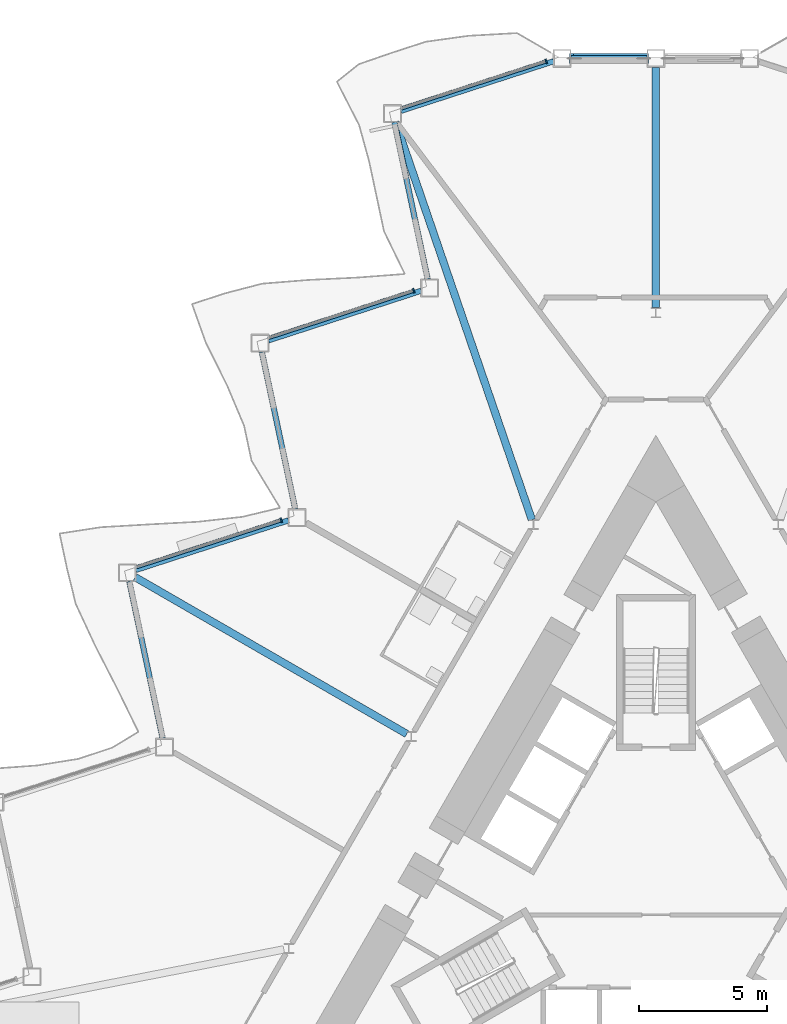
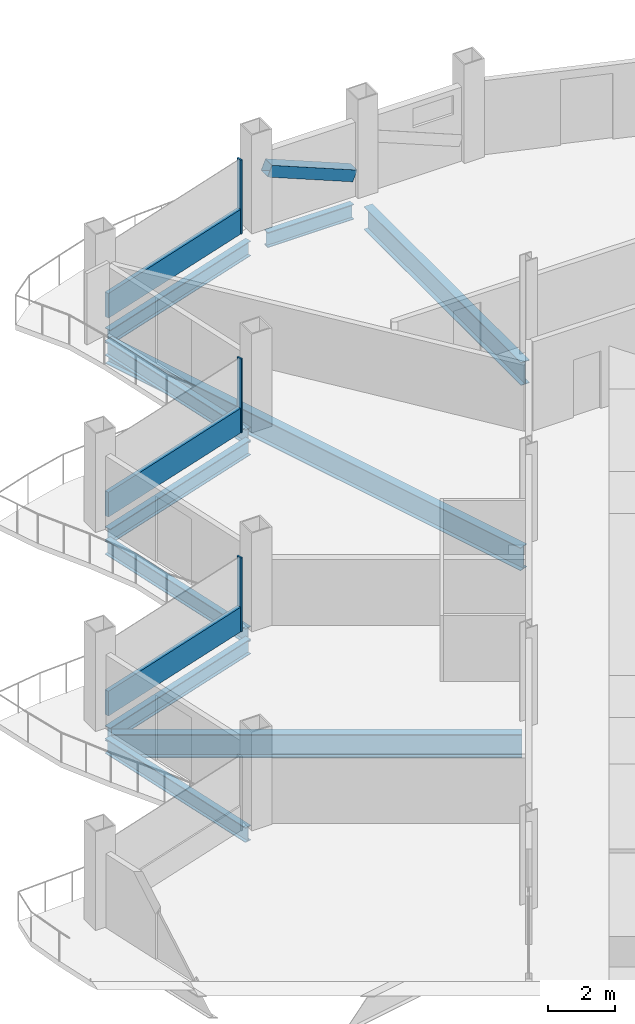
# One storey, part 8 of 24: 10 beams, 7 members, 3 elements without a shape of their own.
"""IFC4 building model written with IfcOpenShell, lengths in metres."""

import ifcopenshell
import ifcopenshell.guid

model = None  # the IFC model being written
_history = None  # IfcOwnerHistory: only IFC2X3 demands one
_inside = {}  # id of a spatial element -> (the spatial element, [elements in it])
_under = {}  # id of a project, library or spatial element -> (it, [spatial elements below it])
_declared = {}  # id of a project -> (the project, [libraries it declares])
_typed = {}  # id of a type object -> (the type object, [elements of that type])
_made_of = {}  # id of a material, layer set ... -> (it, [elements and type objects made of it])


def new_model(schema):
    """Start an empty IFC model of exactly this schema.

    Asked for "IFC4X3", IfcOpenShell would pick the latest addendum, in which some entities
    have other attributes; the version numbers below select the first issue.
    IFC2X3 requires an IfcOwnerHistory on every rooted entity: one is made here for all.
    """
    global model, _history
    if schema == "IFC4X3":
        model = ifcopenshell.file(schema_version=(4, 3, 0, 0))
    else:
        model = ifcopenshell.file(schema=schema)
    _inside.clear()
    _under.clear()
    _declared.clear()
    _typed.clear()
    _made_of.clear()
    _history = None
    if model.schema == "IFC2X3":
        org = make("IfcOrganization", Name="unknown")
        user = make(
            "IfcPersonAndOrganization",
            ThePerson=make("IfcPerson", FamilyName="unknown"),
            TheOrganization=org,
        )
        app = make(
            "IfcApplication",
            ApplicationDeveloper=org,
            Version="unknown",
            ApplicationFullName="unknown",
            ApplicationIdentifier="unknown",
        )
        _history = make(
            "IfcOwnerHistory",
            OwningUser=user,
            OwningApplication=app,
            ChangeAction="ADDED",
            CreationDate=0,
        )
    return model


def make(cls, **values):
    """One entity of the class cls with the attributes given. An attribute that is None is left unset."""
    return model.create_entity(
        cls, **{name: value for name, value in values.items() if value is not None}
    )


def rooted(cls, **values):
    """An entity with a GlobalId (a new one), such as an element, a storey or a relation."""
    return make(cls, GlobalId=ifcopenshell.guid.new(), OwnerHistory=_history, **values)


def si_unit(unit_type, name, prefix=None):
    """IfcSIUnit, for example si_unit("LENGTHUNIT", "METRE", prefix="MILLI")."""
    return make("IfcSIUnit", UnitType=unit_type, Prefix=prefix, Name=name)


def assignment(units):
    """IfcUnitAssignment: the units of a project."""
    return None if units is None else make("IfcUnitAssignment", Units=units)


def point(xyz):
    """IfcCartesianPoint."""
    return None if xyz is None else make("IfcCartesianPoint", Coordinates=xyz)


def direction(xyz):
    """IfcDirection."""
    return None if xyz is None else make("IfcDirection", DirectionRatios=xyz)


def frame(location, z_axis=None, x_axis=None):
    """IfcAxis2Placement3D, a coordinate frame: its origin and axes. An axis left out is left unset."""
    return make(
        "IfcAxis2Placement3D",
        Location=point(location),
        Axis=direction(z_axis),
        RefDirection=direction(x_axis),
    )


def frame_2d(location, x_axis=None):
    """IfcAxis2Placement2D, a coordinate frame in the plane: its origin and x axis."""
    return make(
        "IfcAxis2Placement2D", Location=point(location), RefDirection=direction(x_axis)
    )


def origin():
    """The frame at (0, 0, 0) with its axes left unset."""
    return frame((0.0, 0.0, 0.0))


def origin_2d():
    """The frame at (0, 0) in the plane with its x axis left unset."""
    return frame_2d((0.0, 0.0))


def place(relative_to, where):
    """IfcLocalPlacement: puts the frame where relative to a parent placement (None: the world)."""
    return make(
        "IfcLocalPlacement", PlacementRelTo=relative_to, RelativePlacement=where
    )


def context(
    kind, dimensions, precision=None, world=None, true_north=None, identifier=None
):
    """IfcGeometricRepresentationContext, for example the 3D "Model" context."""
    return make(
        "IfcGeometricRepresentationContext",
        ContextIdentifier=identifier,
        ContextType=kind,
        CoordinateSpaceDimension=dimensions,
        Precision=precision,
        WorldCoordinateSystem=world,
        TrueNorth=true_north,
    )


def subcontext(parent, identifier, kind, view, scale=None):
    """IfcGeometricRepresentationSubContext, for example "Body" below "Model"."""
    return make(
        "IfcGeometricRepresentationSubContext",
        ContextIdentifier=identifier,
        ContextType=kind,
        ParentContext=parent,
        TargetScale=scale,
        TargetView=view,
    )


def project(units=None, contexts=None):
    """IfcProject with its units and contexts."""
    return rooted(
        "IfcProject",
        Name="project",
        RepresentationContexts=contexts,
        UnitsInContext=assignment(units),
    )


def spatial(cls, under=None, at=None, **own):
    """A site, building, storey or space (cls), placed at a placement, below another one or the project."""
    s = rooted(cls, ObjectPlacement=at, **own)
    if under is not None:
        _under.setdefault(under.id(), (under, []))[1].append(s)
    return s


def profile(cls, at=None, kind="AREA", **sizes):
    """A parametric profile (cls). Its sizes go by their IFC names, for example OverallWidth=200.0."""
    return make(cls, ProfileType=kind, Position=at, **sizes)


def rectangle(**sizes):
    """IfcRectangleProfileDef."""
    return profile("IfcRectangleProfileDef", **sizes)


def hollow_rectangle(**sizes):
    """IfcRectangleHollowProfileDef."""
    return profile("IfcRectangleHollowProfileDef", **sizes)


def i_section(**sizes):
    """IfcIShapeProfileDef."""
    return profile("IfcIShapeProfileDef", **sizes)


def extrude(swept, where, along, depth):
    """IfcExtrudedAreaSolid: the profile swept, set in the frame where, extruded along a direction by depth."""
    return make(
        "IfcExtrudedAreaSolid",
        SweptArea=swept,
        Position=where,
        ExtrudedDirection=direction(along),
        Depth=depth,
    )


def shape(context_of_items, identifier, shape_type, items):
    """IfcShapeRepresentation: the items that make up one representation, for example the "Body"."""
    return make(
        "IfcShapeRepresentation",
        ContextOfItems=context_of_items,
        RepresentationIdentifier=identifier,
        RepresentationType=shape_type,
        Items=items,
    )


def material(Name=None, Category=None):
    """IfcMaterial."""
    return make("IfcMaterial", Name=Name, Category=Category)


def layer(
    of_material, thickness, ventilated=None, Name=None, Category=None, Priority=None
):
    """IfcMaterialLayer: one layer of a wall or slab, of a material (None: an air gap)."""
    return make(
        "IfcMaterialLayer",
        Material=of_material,
        LayerThickness=thickness,
        IsVentilated=ventilated,
        Name=Name,
        Category=Category,
        Priority=Priority,
    )


def layer_set(layers, Name=None):
    """IfcMaterialLayerSet."""
    return make("IfcMaterialLayerSet", MaterialLayers=layers, LayerSetName=Name)


def material_profile(
    of_material, cross_section, Name=None, Category=None, Priority=None
):
    """IfcMaterialProfile: a cross section and its material."""
    return make(
        "IfcMaterialProfile",
        Name=Name,
        Material=of_material,
        Profile=cross_section,
        Priority=Priority,
        Category=Category,
    )


def profile_set(profiles, Name=None, composite=None):
    """IfcMaterialProfileSet."""
    return make(
        "IfcMaterialProfileSet",
        Name=Name,
        MaterialProfiles=profiles,
        CompositeProfile=composite,
    )


def made_of(thing, what):
    """Note that an element or type object is made of a material, layer set ...; save() writes the relation."""
    if what is not None:
        _made_of.setdefault(what.id(), (what, []))[1].append(thing)
    return thing


def type_object(cls, material=None, **own):
    """A type object (cls), such as IfcWallType, which elements share."""
    return made_of(rooted(cls, **own), material)


def element(
    cls,
    number,
    at=None,
    inside=None,
    cuts=None,
    type_object=None,
    material=None,
    context=None,
    identifier="Body",
    shape_type=None,
    held_by="IfcProductDefinitionShape",
    body=None,
    shapes=None,
    **own,
):
    """One element of the class cls, such as IfcWall. Its Tag is "e" and its number.

    at: its placement. inside: the storey or other place that contains it. cuts: it is an
    opening in that element (IfcRelVoidsElement). A single representation is given by context,
    identifier, shape_type and body (its items); several are given by shapes. held_by: the class
    of the entity that holds the representations. save() writes the other relations.
    """
    e = rooted(cls, Tag="e%d" % number, ObjectPlacement=at, **own)
    if body is not None:
        shapes = [shape(context, identifier, shape_type, body)]
    if shapes is not None:
        e.Representation = make(held_by, Representations=shapes)
    if inside is not None:
        _inside.setdefault(inside.id(), (inside, []))[1].append(e)
    if cuts is not None:
        rooted(
            "IfcRelVoidsElement", RelatingBuildingElement=cuts, RelatedOpeningElement=e
        )
    if type_object is not None:
        _typed.setdefault(type_object.id(), (type_object, []))[1].append(e)
    return made_of(e, material)


def aggregate(whole, parts):
    """IfcRelAggregates: a whole, such as a stair, and the parts it consists of."""
    return rooted("IfcRelAggregates", RelatingObject=whole, RelatedObjects=parts)


def save(model, path):
    """Write the relations noted so far, then the file.

    IfcRelAggregates (storeys below a building ...), IfcRelContainedInSpatialStructure (elements
    in a storey), IfcRelDefinesByType, IfcRelAssociatesMaterial and IfcRelDeclares: one each for
    every whole, place, type object, material and project.
    """
    for whole, parts in _under.values():
        aggregate(whole, parts)
    for where, things in _inside.values():
        rooted(
            "IfcRelContainedInSpatialStructure",
            RelatedElements=things,
            RelatingStructure=where,
        )
    for kind, things in _typed.values():
        rooted("IfcRelDefinesByType", RelatedObjects=things, RelatingType=kind)
    for what, things in _made_of.values():
        rooted("IfcRelAssociatesMaterial", RelatedObjects=things, RelatingMaterial=what)
    for by, libraries in _declared.values():
        rooted("IfcRelDeclares", RelatingContext=by, RelatedDefinitions=libraries)
    model.write(path)


model = new_model("IFC4")

# Units and contexts
model_context = context("Model", 3, precision=1e-05, world=origin(), true_north=direction((0.0, 1.0)))
body_context = subcontext(model_context, "Body", "Model", "MODEL_VIEW")
ifc_project = project(units=[si_unit("LENGTHUNIT", "METRE"), si_unit("AREAUNIT", "SQUARE_METRE"), si_unit("VOLUMEUNIT", "CUBIC_METRE"), si_unit("PLANEANGLEUNIT", "RADIAN"), si_unit("MASSUNIT", "GRAM", prefix="KILO")], contexts=[model_context])

# Site, building, storey
site_placement = place(None, origin())
site = spatial("IfcSite", under=ifc_project, at=site_placement, CompositionType="ELEMENT")
building_placement = place(site_placement, origin())
building = spatial("IfcBuilding", under=site, at=building_placement, Name="Cormorant Prow Tower", CompositionType="ELEMENT")
storey_placement = place(building_placement, frame((0.0, 0.0, 274.199951171875)))
storey = spatial("IfcBuildingStorey", under=building, at=storey_placement, Name="L62", CompositionType="ELEMENT", Elevation=274.199951171875)

# Member
ifc_material_1 = material(Name="Structural steel ASTM A500 Gr C", Category="steel")
ifc_material_profile_1 = material_profile(ifc_material_1, hollow_rectangle(XDim=0.406494140625, YDim=0.406494140625, WallThickness=0.01171875, at=origin_2d()), Name="HSS16x16x1/2")
ifc_profile_set_1 = profile_set([ifc_material_profile_1], Name="Structural steel ASTM A500 Gr C")
member_type_1 = type_object("IfcMemberType", Name="Chamfer brace HSS16x16x1/2", PredefinedType="BRACE", material=ifc_profile_set_1)
member_1_placement = place(storey_placement, frame((-0.36572265625, 32.073486328125, 0.74951171875), z_axis=(-0.925591042089, 0.0, 0.37852506232), x_axis=(0.0, -1.0, 0.0)))
element("IfcMember", 1, at=member_1_placement, inside=storey, type_object=member_type_1, Name="Chamfer brace BR2 at N01 L62", PredefinedType="BRACE", context=body_context, shape_type="SweptSolid", body=[
    extrude(hollow_rectangle(XDim=0.406494140625, YDim=0.406494140625, WallThickness=0.01171875, at=origin_2d()), origin(), (0.0, 0.0, 1.0), 3.17529296875),
])

# Curtain wall, member
ifc_material_2 = material(Name="Aluminium 6063-T6", Category="aluminium")
ifc_layer = layer(ifc_material_2, 0.179931640625)
ifc_layer_set = layer_set([ifc_layer], Name="Aluminium 6063-T6")
curtain_wall_type = type_object("IfcCurtainWallType", Name="Hotel unitised curtain wall 180", PredefinedType="NOTDEFINED", material=ifc_layer_set)
curtain_wall_1_placement = place(storey_placement, origin())
curtain_wall_1 = element("IfcCurtainWall", 2, at=curtain_wall_1_placement, inside=storey, type_object=curtain_wall_type, Name="Hotel curtain wall WNW00", PredefinedType="NOTDEFINED")
ifc_material_3 = material(Name="Aluminium 6063-T6", Category="aluminium")
ifc_material_profile_2 = material_profile(ifc_material_3, rectangle(XDim=0.179931640625, YDim=0.06005859375, at=origin_2d()), Name="Hotel mullion 60x180")
ifc_profile_set_2 = profile_set([ifc_material_profile_2], Name="Aluminium 6063-T6")
member_type_2 = type_object("IfcMemberType", Name="Hotel mullion 60x180", PredefinedType="MULLION", material=ifc_profile_set_2)
member_2_placement = place(storey_placement, frame((-4.296630859375, 31.9619140625, 0.0), z_axis=(0.0, 0.0, 1.0), x_axis=(0.309016992698, -0.95105651684, 0.0)))
member_2 = element("IfcMember", 3, at=member_2_placement, type_object=member_type_2, Name="Hotel mullion WNW00", PredefinedType="MULLION", context=body_context, shape_type="SweptSolid", body=[
    extrude(rectangle(XDim=0.179931640625, YDim=0.06005859375, at=origin_2d()), origin(), (0.0, 0.0, 1.0), 2.700927734375),
])

curtain_wall_2_placement = place(storey_placement, origin())
curtain_wall_2 = element("IfcCurtainWall", 4, at=curtain_wall_2_placement, inside=storey, type_object=curtain_wall_type, Name="Hotel curtain wall WNW02", PredefinedType="NOTDEFINED")
member_3_placement = place(storey_placement, frame((-9.481689453125, 22.980712890625, 0.0), z_axis=(0.0, 0.0, 1.0), x_axis=(0.309016992698, -0.95105651684, 0.0)))
member_3 = element("IfcMember", 5, at=member_3_placement, type_object=member_type_2, Name="Hotel mullion WNW02", PredefinedType="MULLION", context=body_context, shape_type="SweptSolid", body=[
    extrude(rectangle(XDim=0.179931640625, YDim=0.06005859375, at=origin_2d()), origin(), (0.0, 0.0, 1.0), 2.700927734375),
])

curtain_wall_3_placement = place(storey_placement, origin())
curtain_wall_3 = element("IfcCurtainWall", 6, at=curtain_wall_3_placement, inside=storey, type_object=curtain_wall_type, Name="Hotel curtain wall WNW04", PredefinedType="NOTDEFINED")
member_4_placement = place(storey_placement, frame((-14.6669921875, 13.999755859375, 0.0), z_axis=(0.0, 0.0, 1.0), x_axis=(0.309016992698, -0.95105651684, 0.0)))
member_4 = element("IfcMember", 7, at=member_4_placement, type_object=member_type_2, Name="Hotel mullion WNW04", PredefinedType="MULLION", context=body_context, shape_type="SweptSolid", body=[
    extrude(rectangle(XDim=0.179931640625, YDim=0.06005859375, at=origin_2d()), origin(), (0.0, 0.0, 1.0), 2.700927734375),
])

# Member
ifc_material_4 = material(Name="Terracotta", Category="masonry")
ifc_material_profile_3 = material_profile(ifc_material_4, rectangle(XDim=0.139892578125, YDim=0.89990234375, at=origin_2d()), Name="Hotel terracotta spandrel rail 140x900")
ifc_profile_set_3 = profile_set([ifc_material_profile_3], Name="Terracotta")
member_type_3 = type_object("IfcMemberType", Name="Hotel terracotta spandrel rail 140x900", PredefinedType="USERDEFINED", material=ifc_profile_set_3)
member_5_placement = place(storey_placement, frame((-4.3251953125, 31.95263671875, 0.449951171875), z_axis=(-0.951045896886, -0.309049675645, 0.0), x_axis=(0.309049675645, -0.951045896886, 0.0)))
member_5 = element("IfcMember", 8, at=member_5_placement, type_object=member_type_3, Name="Hotel spandrel rail WNW00", ObjectType="TRANSOM", PredefinedType="USERDEFINED", context=body_context, shape_type="SweptSolid", body=[
    extrude(rectangle(XDim=0.139892578125, YDim=0.89990234375, at=origin_2d()), origin(), (0.0, 0.0, 1.0), 5.915283203125),
])

aggregate(curtain_wall_1, [member_2, member_5])

member_6_placement = place(storey_placement, frame((-9.51025390625, 22.971435546875, 0.449951171875), z_axis=(-0.951061968074, -0.309000215022, 0.0), x_axis=(0.309000215022, -0.951061968074, 0.0)))
member_6 = element("IfcMember", 9, at=member_6_placement, type_object=member_type_3, Name="Hotel spandrel rail WNW02", ObjectType="TRANSOM", PredefinedType="USERDEFINED", context=body_context, shape_type="SweptSolid", body=[
    extrude(rectangle(XDim=0.139892578125, YDim=0.89990234375, at=origin_2d()), origin(), (0.0, 0.0, 1.0), 5.91552734375),
])

aggregate(curtain_wall_2, [member_3, member_6])

member_7_placement = place(storey_placement, frame((-14.695556640625, 13.990478515625, 0.449951171875), z_axis=(-0.951045896886, -0.309049675645, 0.0), x_axis=(0.309049675645, -0.951045896886, 0.0)))
member_7 = element("IfcMember", 10, at=member_7_placement, type_object=member_type_3, Name="Hotel spandrel rail WNW04", ObjectType="TRANSOM", PredefinedType="USERDEFINED", context=body_context, shape_type="SweptSolid", body=[
    extrude(rectangle(XDim=0.139892578125, YDim=0.89990234375, at=origin_2d()), origin(), (0.0, 0.0, 1.0), 5.915283203125),
])

aggregate(curtain_wall_3, [member_4, member_7])

# Beams
ifc_material_5 = material(Name="Structural steel ASTM A992 Gr 50", Category="steel")
ifc_material_profile_4 = material_profile(ifc_material_5, i_section(OverallWidth=0.29296875, OverallDepth=0.845703125, WebThickness=0.015380859375, FlangeThickness=0.0244140625, at=origin_2d()), Name="W33x141")
ifc_profile_set_4 = profile_set([ifc_material_profile_4], Name="Structural steel ASTM A992 Gr 50")
beam_type_1 = type_object("IfcBeamType", Name="Radial floor beam W33x141", PredefinedType="BEAM", material=ifc_profile_set_4)
beam_1_placement = place(storey_placement, frame((0.0, 22.320068359375, -0.77294921875), z_axis=(0.0, 1.0, 0.0), x_axis=(-1.0, 0.0, 0.0)))
element("IfcBeam", 11, at=beam_1_placement, inside=storey, type_object=beam_type_1, Name="Radial floor beam FB2 1 L62", PredefinedType="BEAM", context=body_context, shape_type="SweptSolid", body=[
    extrude(i_section(OverallWidth=0.29296875, OverallDepth=0.845703125, WebThickness=0.015380859375, FlangeThickness=0.0244140625, at=origin_2d()), origin(), (0.0, 0.0, 1.0), 9.4033203125),
])
beam_2_placement = place(storey_placement, frame((-4.85400390625, 14.013916015625, -0.77294921875), z_axis=(-0.324535507117, 0.945873514071, 0.0), x_axis=(-0.945873514071, -0.324535507117, 0.0)))
element("IfcBeam", 12, at=beam_2_placement, inside=storey, type_object=beam_type_1, Name="Radial floor beam FB2 2 L62", PredefinedType="BEAM", context=body_context, shape_type="SweptSolid", body=[
    extrude(i_section(OverallWidth=0.29296875, OverallDepth=0.845703125, WebThickness=0.015380859375, FlangeThickness=0.0244140625, at=origin_2d()), origin(), (0.0, 0.0, 1.0), 16.462158203125),
])
beam_3_placement = place(storey_placement, frame((-9.751220703125, 5.6298828125, -0.77294921875), z_axis=(-0.866021995826, 0.500005902711, 0.0), x_axis=(-0.500005902711, -0.866021995826, 0.0)))
element("IfcBeam", 13, at=beam_3_placement, inside=storey, type_object=beam_type_1, Name="Radial floor beam FB2 3 L62", PredefinedType="BEAM", context=body_context, shape_type="SweptSolid", body=[
    extrude(i_section(OverallWidth=0.29296875, OverallDepth=0.845703125, WebThickness=0.015380859375, FlangeThickness=0.0244140625, at=origin_2d()), origin(), (0.0, 0.0, 1.0), 12.277099609375),
])
ifc_material_6 = material(Name="Structural steel ASTM A992 Gr 50", Category="steel")
ifc_material_profile_5 = material_profile(ifc_material_6, i_section(OverallWidth=0.2138671875, OverallDepth=0.549072265625, WebThickness=0.0146484375, FlangeThickness=0.023681640625, at=origin_2d()), Name="W21x93")
ifc_profile_set_5 = profile_set([ifc_material_profile_5], Name="Structural steel ASTM A992 Gr 50")
beam_type_2 = type_object("IfcBeamType", Name="Spandrel beam W21x93", PredefinedType="SPANDREL", material=ifc_profile_set_5)
beam_4_placement = place(storey_placement, frame((-0.35009765625, 32.073486328125, -0.62451171875), z_axis=(-1.0, 0.0, 0.0), x_axis=(0.0, -1.0, 0.0)))
element("IfcBeam", 14, at=beam_4_placement, inside=storey, type_object=beam_type_2, Name="Spandrel beam SB2 N01-WNW00 L62", PredefinedType="SPANDREL", context=body_context, shape_type="SweptSolid", body=[
    extrude(i_section(OverallWidth=0.2138671875, OverallDepth=0.549072265625, WebThickness=0.0146484375, FlangeThickness=0.023681640625, at=origin_2d()), origin(), (0.0, 0.0, 1.0), 2.97021484375),
])
for number, where, z_axis, x_axis, name in (
    (15, (-4.003173828125, 31.96533203125, -0.62451171875), (-0.951054060056, -0.309024553801, 0.0), (0.309024553801, -0.951054060056, 0.0), "Spandrel beam SB2 WNW00-WNW01 L62"),
    (16, (-10.2373046875, 29.57373046875, -0.62451171875), (0.207896407679, -0.97815084914, 0.0), (0.97815084914, 0.207896407679, 0.0), "Spandrel beam SB2 WNW01-WNW02 L62"),
):
    element("IfcBeam", number, at=place(storey_placement, frame(where, z_axis=z_axis, x_axis=x_axis)), inside=storey, type_object=beam_type_2, Name=name, PredefinedType="SPANDREL", context=body_context, shape_type="SweptSolid", body=[
        extrude(i_section(OverallWidth=0.2138671875, OverallDepth=0.549072265625, WebThickness=0.0146484375, FlangeThickness=0.023681640625, at=origin_2d()), origin(), (0.0, 0.0, 1.0), 6.281494140625),
    ])
beam_5_placement = place(storey_placement, frame((-9.191650390625, 22.97900390625, -0.62451171875), z_axis=(-0.951050348284, -0.309035976918, 0.0), x_axis=(0.309035976918, -0.951050348284, 0.0)))
element("IfcBeam", 17, at=beam_5_placement, inside=storey, type_object=beam_type_2, Name="Spandrel beam SB2 WNW02-WNW03 L62", PredefinedType="SPANDREL", context=body_context, shape_type="SweptSolid", body=[
    extrude(i_section(OverallWidth=0.2138671875, OverallDepth=0.549072265625, WebThickness=0.0146484375, FlangeThickness=0.023681640625, at=origin_2d()), origin(), (0.0, 0.0, 1.0), 6.28125),
])
beam_6_placement = place(storey_placement, frame((-15.42578125, 20.58740234375, -0.62451171875), z_axis=(0.207933593793, -0.978142944856, 0.0), x_axis=(0.978142944856, 0.207933593793, 0.0)))
element("IfcBeam", 18, at=beam_6_placement, inside=storey, type_object=beam_type_2, Name="Spandrel beam SB2 WNW03-WNW04 L62", PredefinedType="SPANDREL", context=body_context, shape_type="SweptSolid", body=[
    extrude(i_section(OverallWidth=0.2138671875, OverallDepth=0.549072265625, WebThickness=0.0146484375, FlangeThickness=0.023681640625, at=origin_2d()), origin(), (0.0, 0.0, 1.0), 6.281494140625),
])
beam_7_placement = place(storey_placement, frame((-14.3798828125, 13.99267578125, -0.62451171875), z_axis=(-0.951050348284, -0.309035976918, 0.0), x_axis=(0.309035976918, -0.951050348284, 0.0)))
element("IfcBeam", 19, at=beam_7_placement, inside=storey, type_object=beam_type_2, Name="Spandrel beam SB2 WNW04-WNW05 L62", PredefinedType="SPANDREL", context=body_context, shape_type="SweptSolid", body=[
    extrude(i_section(OverallWidth=0.2138671875, OverallDepth=0.549072265625, WebThickness=0.0146484375, FlangeThickness=0.023681640625, at=origin_2d()), origin(), (0.0, 0.0, 1.0), 6.28125),
])
beam_8_placement = place(storey_placement, frame((-20.614013671875, 11.60107421875, -0.62451171875), z_axis=(0.207933593793, -0.978142944856, 0.0), x_axis=(0.978142944856, 0.207933593793, 0.0)))
element("IfcBeam", 20, at=beam_8_placement, inside=storey, type_object=beam_type_2, Name="Spandrel beam SB2 WNW05-WNW06 L62", PredefinedType="SPANDREL", context=body_context, shape_type="SweptSolid", body=[
    extrude(i_section(OverallWidth=0.2138671875, OverallDepth=0.549072265625, WebThickness=0.0146484375, FlangeThickness=0.023681640625, at=origin_2d()), origin(), (0.0, 0.0, 1.0), 6.281494140625),
])

save(model, "model.ifc")
